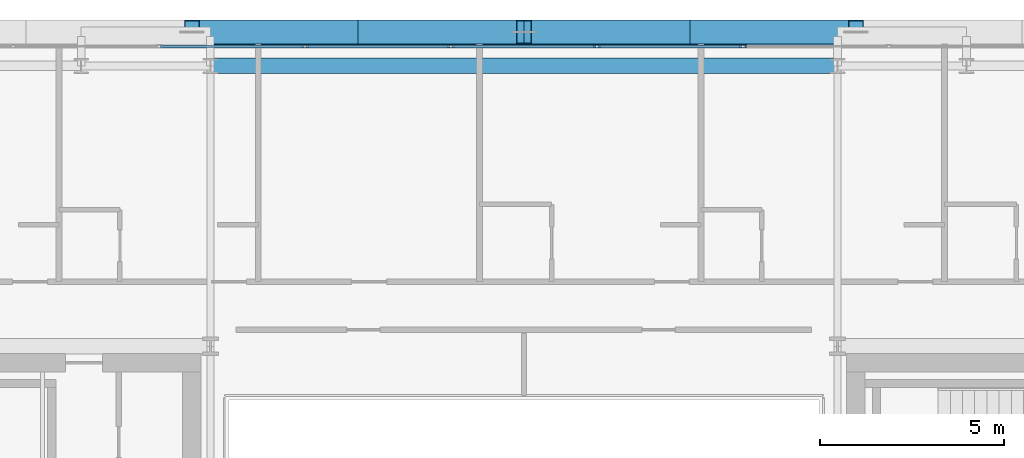
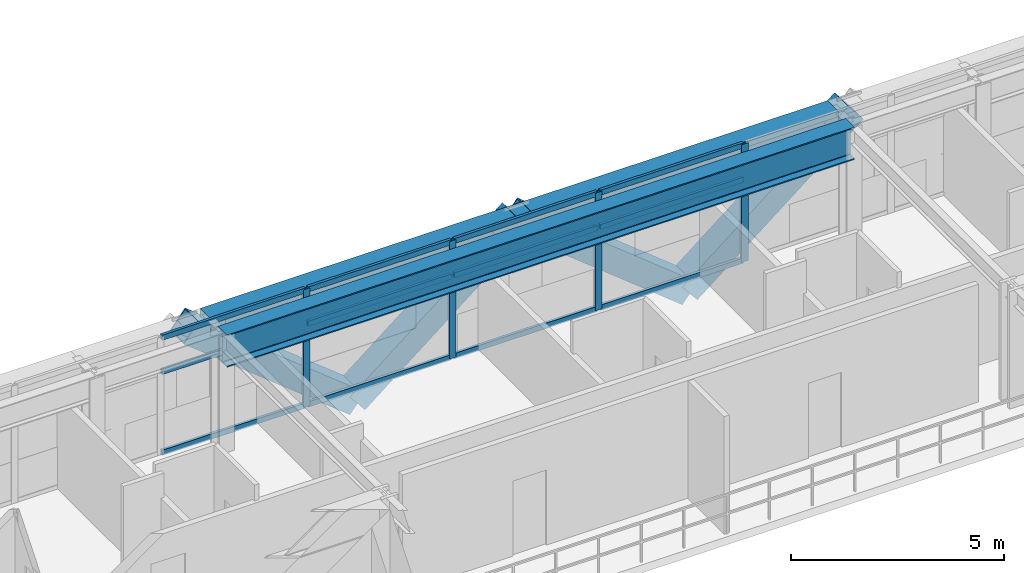
# One storey, part 17 of 32: 20 members, 2 beams, 1 element without a shape of its own.
"""IFC4 building model written with IfcOpenShell, lengths in metres."""

import ifcopenshell
import ifcopenshell.guid

model = None  # the IFC model being written
_history = None  # IfcOwnerHistory: only IFC2X3 demands one
_inside = {}  # id of a spatial element -> (the spatial element, [elements in it])
_under = {}  # id of a project, library or spatial element -> (it, [spatial elements below it])
_declared = {}  # id of a project -> (the project, [libraries it declares])
_typed = {}  # id of a type object -> (the type object, [elements of that type])
_made_of = {}  # id of a material, layer set ... -> (it, [elements and type objects made of it])


def new_model(schema):
    """Start an empty IFC model of exactly this schema.

    Asked for "IFC4X3", IfcOpenShell would pick the latest addendum, in which some entities
    have other attributes; the version numbers below select the first issue.
    IFC2X3 requires an IfcOwnerHistory on every rooted entity: one is made here for all.
    """
    global model, _history
    if schema == "IFC4X3":
        model = ifcopenshell.file(schema_version=(4, 3, 0, 0))
    else:
        model = ifcopenshell.file(schema=schema)
    _inside.clear()
    _under.clear()
    _declared.clear()
    _typed.clear()
    _made_of.clear()
    _history = None
    if model.schema == "IFC2X3":
        org = make("IfcOrganization", Name="unknown")
        user = make(
            "IfcPersonAndOrganization",
            ThePerson=make("IfcPerson", FamilyName="unknown"),
            TheOrganization=org,
        )
        app = make(
            "IfcApplication",
            ApplicationDeveloper=org,
            Version="unknown",
            ApplicationFullName="unknown",
            ApplicationIdentifier="unknown",
        )
        _history = make(
            "IfcOwnerHistory",
            OwningUser=user,
            OwningApplication=app,
            ChangeAction="ADDED",
            CreationDate=0,
        )
    return model


def make(cls, **values):
    """One entity of the class cls with the attributes given. An attribute that is None is left unset."""
    return model.create_entity(
        cls, **{name: value for name, value in values.items() if value is not None}
    )


def rooted(cls, **values):
    """An entity with a GlobalId (a new one), such as an element, a storey or a relation."""
    return make(cls, GlobalId=ifcopenshell.guid.new(), OwnerHistory=_history, **values)


def si_unit(unit_type, name, prefix=None):
    """IfcSIUnit, for example si_unit("LENGTHUNIT", "METRE", prefix="MILLI")."""
    return make("IfcSIUnit", UnitType=unit_type, Prefix=prefix, Name=name)


def assignment(units):
    """IfcUnitAssignment: the units of a project."""
    return None if units is None else make("IfcUnitAssignment", Units=units)


def point(xyz):
    """IfcCartesianPoint."""
    return None if xyz is None else make("IfcCartesianPoint", Coordinates=xyz)


def direction(xyz):
    """IfcDirection."""
    return None if xyz is None else make("IfcDirection", DirectionRatios=xyz)


def frame(location, z_axis=None, x_axis=None):
    """IfcAxis2Placement3D, a coordinate frame: its origin and axes. An axis left out is left unset."""
    return make(
        "IfcAxis2Placement3D",
        Location=point(location),
        Axis=direction(z_axis),
        RefDirection=direction(x_axis),
    )


def frame_2d(location, x_axis=None):
    """IfcAxis2Placement2D, a coordinate frame in the plane: its origin and x axis."""
    return make(
        "IfcAxis2Placement2D", Location=point(location), RefDirection=direction(x_axis)
    )


def origin():
    """The frame at (0, 0, 0) with its axes left unset."""
    return frame((0.0, 0.0, 0.0))


def origin_2d():
    """The frame at (0, 0) in the plane with its x axis left unset."""
    return frame_2d((0.0, 0.0))


def place(relative_to, where):
    """IfcLocalPlacement: puts the frame where relative to a parent placement (None: the world)."""
    return make(
        "IfcLocalPlacement", PlacementRelTo=relative_to, RelativePlacement=where
    )


def context(
    kind, dimensions, precision=None, world=None, true_north=None, identifier=None
):
    """IfcGeometricRepresentationContext, for example the 3D "Model" context."""
    return make(
        "IfcGeometricRepresentationContext",
        ContextIdentifier=identifier,
        ContextType=kind,
        CoordinateSpaceDimension=dimensions,
        Precision=precision,
        WorldCoordinateSystem=world,
        TrueNorth=true_north,
    )


def subcontext(parent, identifier, kind, view, scale=None):
    """IfcGeometricRepresentationSubContext, for example "Body" below "Model"."""
    return make(
        "IfcGeometricRepresentationSubContext",
        ContextIdentifier=identifier,
        ContextType=kind,
        ParentContext=parent,
        TargetScale=scale,
        TargetView=view,
    )


def project(units=None, contexts=None):
    """IfcProject with its units and contexts."""
    return rooted(
        "IfcProject",
        Name="project",
        RepresentationContexts=contexts,
        UnitsInContext=assignment(units),
    )


def spatial(cls, under=None, at=None, **own):
    """A site, building, storey or space (cls), placed at a placement, below another one or the project."""
    s = rooted(cls, ObjectPlacement=at, **own)
    if under is not None:
        _under.setdefault(under.id(), (under, []))[1].append(s)
    return s


def profile(cls, at=None, kind="AREA", **sizes):
    """A parametric profile (cls). Its sizes go by their IFC names, for example OverallWidth=200.0."""
    return make(cls, ProfileType=kind, Position=at, **sizes)


def hollow_rectangle(**sizes):
    """IfcRectangleHollowProfileDef."""
    return profile("IfcRectangleHollowProfileDef", **sizes)


def i_section(**sizes):
    """IfcIShapeProfileDef."""
    return profile("IfcIShapeProfileDef", **sizes)


def extrude(swept, where, along, depth):
    """IfcExtrudedAreaSolid: the profile swept, set in the frame where, extruded along a direction by depth."""
    return make(
        "IfcExtrudedAreaSolid",
        SweptArea=swept,
        Position=where,
        ExtrudedDirection=direction(along),
        Depth=depth,
    )


def shape(context_of_items, identifier, shape_type, items):
    """IfcShapeRepresentation: the items that make up one representation, for example the "Body"."""
    return make(
        "IfcShapeRepresentation",
        ContextOfItems=context_of_items,
        RepresentationIdentifier=identifier,
        RepresentationType=shape_type,
        Items=items,
    )


def source(mapping_origin, context_of_items, identifier, shape_type, items):
    """IfcRepresentationMap: a shape defined once, which mapped items show again and again."""
    return make(
        "IfcRepresentationMap",
        MappingOrigin=mapping_origin,
        MappedRepresentation=shape(context_of_items, identifier, shape_type, items),
    )


def transform(
    local_origin,
    x_axis=None,
    y_axis=None,
    z_axis=None,
    scale=None,
    scale2=None,
    scale3=None,
    uniform=True,
):
    """IfcCartesianTransformationOperator3D, or its non-uniform kind. x_axis, y_axis, z_axis: its Axis1, 2, 3."""
    if uniform:
        return make(
            "IfcCartesianTransformationOperator3D",
            Axis1=direction(x_axis),
            Axis2=direction(y_axis),
            LocalOrigin=point(local_origin),
            Scale=scale,
            Axis3=direction(z_axis),
        )
    return make(
        "IfcCartesianTransformationOperator3DnonUniform",
        Axis1=direction(x_axis),
        Axis2=direction(y_axis),
        LocalOrigin=point(local_origin),
        Scale=scale,
        Axis3=direction(z_axis),
        Scale2=scale2,
        Scale3=scale3,
    )


def mapped(mapping_source, mapping_target):
    """IfcMappedItem: shows the shape of a source again, moved by a transform."""
    return make(
        "IfcMappedItem", MappingSource=mapping_source, MappingTarget=mapping_target
    )


def material(Name=None, Category=None):
    """IfcMaterial."""
    return make("IfcMaterial", Name=Name, Category=Category)


def layer(
    of_material, thickness, ventilated=None, Name=None, Category=None, Priority=None
):
    """IfcMaterialLayer: one layer of a wall or slab, of a material (None: an air gap)."""
    return make(
        "IfcMaterialLayer",
        Material=of_material,
        LayerThickness=thickness,
        IsVentilated=ventilated,
        Name=Name,
        Category=Category,
        Priority=Priority,
    )


def layer_set(layers, Name=None):
    """IfcMaterialLayerSet."""
    return make("IfcMaterialLayerSet", MaterialLayers=layers, LayerSetName=Name)


def material_profile(
    of_material, cross_section, Name=None, Category=None, Priority=None
):
    """IfcMaterialProfile: a cross section and its material."""
    return make(
        "IfcMaterialProfile",
        Name=Name,
        Material=of_material,
        Profile=cross_section,
        Priority=Priority,
        Category=Category,
    )


def profile_set(profiles, Name=None, composite=None):
    """IfcMaterialProfileSet."""
    return make(
        "IfcMaterialProfileSet",
        Name=Name,
        MaterialProfiles=profiles,
        CompositeProfile=composite,
    )


def made_of(thing, what):
    """Note that an element or type object is made of a material, layer set ...; save() writes the relation."""
    if what is not None:
        _made_of.setdefault(what.id(), (what, []))[1].append(thing)
    return thing


def type_object(cls, material=None, **own):
    """A type object (cls), such as IfcWallType, which elements share."""
    return made_of(rooted(cls, **own), material)


def element(
    cls,
    number,
    at=None,
    inside=None,
    cuts=None,
    type_object=None,
    material=None,
    context=None,
    identifier="Body",
    shape_type=None,
    held_by="IfcProductDefinitionShape",
    body=None,
    shapes=None,
    **own,
):
    """One element of the class cls, such as IfcWall. Its Tag is "e" and its number.

    at: its placement. inside: the storey or other place that contains it. cuts: it is an
    opening in that element (IfcRelVoidsElement). A single representation is given by context,
    identifier, shape_type and body (its items); several are given by shapes. held_by: the class
    of the entity that holds the representations. save() writes the other relations.
    """
    e = rooted(cls, Tag="e%d" % number, ObjectPlacement=at, **own)
    if body is not None:
        shapes = [shape(context, identifier, shape_type, body)]
    if shapes is not None:
        e.Representation = make(held_by, Representations=shapes)
    if inside is not None:
        _inside.setdefault(inside.id(), (inside, []))[1].append(e)
    if cuts is not None:
        rooted(
            "IfcRelVoidsElement", RelatingBuildingElement=cuts, RelatedOpeningElement=e
        )
    if type_object is not None:
        _typed.setdefault(type_object.id(), (type_object, []))[1].append(e)
    return made_of(e, material)


def aggregate(whole, parts):
    """IfcRelAggregates: a whole, such as a stair, and the parts it consists of."""
    return rooted("IfcRelAggregates", RelatingObject=whole, RelatedObjects=parts)


def save(model, path):
    """Write the relations noted so far, then the file.

    IfcRelAggregates (storeys below a building ...), IfcRelContainedInSpatialStructure (elements
    in a storey), IfcRelDefinesByType, IfcRelAssociatesMaterial and IfcRelDeclares: one each for
    every whole, place, type object, material and project.
    """
    for whole, parts in _under.values():
        aggregate(whole, parts)
    for where, things in _inside.values():
        rooted(
            "IfcRelContainedInSpatialStructure",
            RelatedElements=things,
            RelatingStructure=where,
        )
    for kind, things in _typed.values():
        rooted("IfcRelDefinesByType", RelatedObjects=things, RelatingType=kind)
    for what, things in _made_of.values():
        rooted("IfcRelAssociatesMaterial", RelatedObjects=things, RelatingMaterial=what)
    for by, libraries in _declared.values():
        rooted("IfcRelDeclares", RelatingContext=by, RelatedDefinitions=libraries)
    model.write(path)


model = new_model("IFC4")

# Units and contexts
model_context = context("Model", 3, precision=1e-05, world=origin(), true_north=direction((0.0, 1.0)))
body_context = subcontext(model_context, "Body", "Model", "MODEL_VIEW")
ifc_project = project(units=[si_unit("LENGTHUNIT", "METRE"), si_unit("AREAUNIT", "SQUARE_METRE"), si_unit("VOLUMEUNIT", "CUBIC_METRE"), si_unit("PLANEANGLEUNIT", "RADIAN"), si_unit("MASSUNIT", "GRAM", prefix="KILO")], contexts=[model_context])

# Site, building, storey
site_placement = place(None, origin())
site = spatial("IfcSite", under=ifc_project, at=site_placement, CompositionType="ELEMENT")
building_placement = place(site_placement, origin())
building = spatial("IfcBuilding", under=site, at=building_placement, Name="Ocotamira Hotel", CompositionType="ELEMENT")
storey_placement = place(building_placement, frame((0.0, 0.0, 206.39990234375)))
storey = spatial("IfcBuildingStorey", under=building, at=storey_placement, Name="L52", CompositionType="ELEMENT", Elevation=206.39990234375)

# Beams
ifc_material_1 = material(Name="Steel ASTM A992 Grade 50", Category="steel")
ifc_material_profile_1 = material_profile(ifc_material_1, i_section(OverallWidth=0.41796875, OverallDepth=0.927001953125, WebThickness=0.019287109375, FlangeThickness=0.031982421875, FilletRadius=0.02392578125, at=origin_2d()), Name="W36X231")
ifc_profile_set_1 = profile_set([ifc_material_profile_1], Name="Steel ASTM A992 Grade 50")
beam_type_1 = type_object("IfcBeamType", Name="BM-GIRD-W36X231", PredefinedType="BEAM", material=ifc_profile_set_1)
shared_shape_1 = source(origin(), body_context, "Body", "SweptSolid", [
    extrude(i_section(OverallWidth=0.41796875, OverallDepth=0.927001953125, WebThickness=0.019287109375, FlangeThickness=0.031982421875, FilletRadius=0.02392578125, at=origin_2d()), origin(), (0.0, 0.0, 1.0), 17.0),
])
beam_1_placement = place(storey_placement, frame((23.5, 45.050048828125, 2.906494140625), z_axis=(1.0, 0.0, 0.0), x_axis=(0.0, 1.0, 0.0)))
element("IfcBeam", 1, at=beam_1_placement, inside=storey, type_object=beam_type_1, Name="L52 Girder Y45.05 X23.5-40.5", PredefinedType="BEAM", context=body_context, shape_type="MappedRepresentation", body=[
    mapped(shared_shape_1, transform((0.0, 0.0, 0.0), scale=1.0)),
])
ifc_material_2 = material(Name="Steel ASTM A500 Grade C", Category="steel")
ifc_material_profile_2 = material_profile(ifc_material_2, hollow_rectangle(XDim=0.5, YDim=0.5, WallThickness=0.02001953125, at=origin_2d()), Name="HSS500X500X20")
ifc_profile_set_2 = profile_set([ifc_material_profile_2], Name="Steel ASTM A500 Grade C")
beam_type_2 = type_object("IfcBeamType", Name="BM-SPAN-HSS500", PredefinedType="USERDEFINED", material=ifc_profile_set_2)
shared_shape_2 = source(origin(), body_context, "Body", "SweptSolid", [
    extrude(hollow_rectangle(XDim=0.5, YDim=0.5, WallThickness=0.02001953125, at=origin_2d()), origin(), (0.0, 0.0, 1.0), 17.0),
])
beam_2_placement = place(storey_placement, frame((23.5, 45.85009765625, 3.1201171875), z_axis=(1.0, 0.0, 0.0), x_axis=(0.0, 1.0, 0.0)))
element("IfcBeam", 2, at=beam_2_placement, inside=storey, type_object=beam_type_2, Name="L52 Edge Spandrel N X23.5-40.5", ObjectType="SPANDREL", PredefinedType="USERDEFINED", context=body_context, shape_type="MappedRepresentation", body=[
    mapped(shared_shape_2, transform((0.0, 0.0, 0.0), scale=1.0)),
])

# Members
ifc_material_3 = material(Name="Pale-metal coated steel ASTM A913 Grade 65", Category="steel")
ifc_material_profile_3 = material_profile(ifc_material_3, hollow_rectangle(XDim=0.64990234375, YDim=0.64990234375, WallThickness=0.02197265625, at=origin_2d()), Name="BOX650X650X22")
ifc_profile_set_3 = profile_set([ifc_material_profile_3], Name="Pale-metal coated steel ASTM A913 Grade 65")
member_type_1 = type_object("IfcMemberType", Name="MEM-EXO-BOX650", PredefinedType="BRACE", material=ifc_profile_set_3)
shared_shape_3 = source(origin(), body_context, "Body", "SweptSolid", [
    extrude(hollow_rectangle(XDim=0.64990234375, YDim=0.64990234375, WallThickness=0.02197265625, at=origin_2d()), origin(), (0.0, 0.0, 1.0), 5.762939453125),
])
for number, where, z_axis, x_axis, name in (
    (3, (27.5, 45.969970703125, -0.47998046875), (-0.780860543151, 0.0, 0.624705380279), (0.0, -1.0, 0.0), "L52 Exoskeleton Diagrid N1.1"),
    (4, (27.5, 45.969970703125, -0.47998046875), (0.780860543151, 0.0, 0.624705380279), (0.0, 1.0, 0.0), "L52 Exoskeleton Diagrid N1.2"),
    (5, (36.5, 45.969970703125, -0.47998046875), (-0.780860543151, 0.0, 0.624705380279), (0.0, -1.0, 0.0), "L52 Exoskeleton Diagrid N2.1"),
    (6, (36.5, 45.969970703125, -0.47998046875), (0.780860543151, 0.0, 0.624705380279), (0.0, 1.0, 0.0), "L52 Exoskeleton Diagrid N2.2"),
):
    element("IfcMember", number, at=place(storey_placement, frame(where, z_axis=z_axis, x_axis=x_axis)), inside=storey, type_object=member_type_1, Name=name, PredefinedType="BRACE", context=body_context, shape_type="MappedRepresentation", body=[
        mapped(shared_shape_3, transform((0.0, 0.0, 0.0), scale=1.0)),
    ])

# Curtain wall, members
ifc_material_4 = material(Name="Anodised pale-metal aluminium and solar glass", Category="aluminium")
ifc_layer = layer(ifc_material_4, 0.199951171875)
ifc_layer_set = layer_set([ifc_layer], Name="Anodised pale-metal aluminium and solar glass")
curtain_wall_type = type_object("IfcCurtainWallType", Name="CW-SYS4-Z3", PredefinedType="NOTDEFINED", material=ifc_layer_set)
curtain_wall_placement = place(storey_placement, origin())
curtain_wall = element("IfcCurtainWall", 7, at=curtain_wall_placement, inside=storey, type_object=curtain_wall_type, Name="L52 Curtain Wall CW-4 CW-L52-N", PredefinedType="NOTDEFINED")
ifc_material_5 = material(Name="Anodised pale-metal aluminium 6063-T6", Category="aluminium")
ifc_material_profile_4 = material_profile(ifc_material_5, hollow_rectangle(XDim=0.074951171875, YDim=0.14990234375, WallThickness=0.006103515625, at=origin_2d()), Name="HSS150X75X6")
ifc_profile_set_4 = profile_set([ifc_material_profile_4], Name="Anodised pale-metal aluminium 6063-T6")
member_type_2 = type_object("IfcMemberType", Name="CWT-150X75", PredefinedType="USERDEFINED", material=ifc_profile_set_4)
shared_shape_4 = source(origin(), body_context, "Body", "SweptSolid", [
    extrude(hollow_rectangle(XDim=0.074951171875, YDim=0.14990234375, WallThickness=0.006103515625, at=origin_2d()), origin(), (0.0, 0.0, 1.0), 3.87548828125),
])
member_1_placement = place(storey_placement, frame((22.151123046875, 45.580078125, 0.03759765625), z_axis=(1.0, 0.0, 0.0), x_axis=(0.0, 1.0, 0.0)))
member_1 = element("IfcMember", 8, at=member_1_placement, type_object=member_type_2, Name="CW-4 transom 3.1", ObjectType="TRANSOM", PredefinedType="USERDEFINED", context=body_context, shape_type="MappedRepresentation", body=[
    mapped(shared_shape_4, transform((0.0, 0.0, 0.0), scale=1.0)),
])
member_2_placement = place(storey_placement, frame((22.151123046875, 45.580078125, 2.35009765625), z_axis=(1.0, 0.0, 0.0), x_axis=(0.0, 1.0, 0.0)))
member_2 = element("IfcMember", 9, at=member_2_placement, type_object=member_type_2, Name="CW-4 transom 3.2", ObjectType="TRANSOM", PredefinedType="USERDEFINED", context=body_context, shape_type="MappedRepresentation", body=[
    mapped(shared_shape_4, transform((0.0, 0.0, 0.0), scale=1.0)),
])
member_3_placement = place(storey_placement, frame((22.151123046875, 45.580078125, 3.33251953125), z_axis=(1.0, 0.0, 0.0), x_axis=(0.0, 1.0, 0.0)))
member_3 = element("IfcMember", 10, at=member_3_placement, type_object=member_type_2, Name="CW-4 transom 3.3", ObjectType="TRANSOM", PredefinedType="USERDEFINED", context=body_context, shape_type="MappedRepresentation", body=[
    mapped(shared_shape_4, transform((0.0, 0.0, 0.0), scale=1.0)),
])
member_4_placement = place(storey_placement, frame((26.106689453125, 45.580078125, 0.03759765625), z_axis=(1.0, 0.0, 0.0), x_axis=(0.0, 1.0, 0.0)))
member_4 = element("IfcMember", 11, at=member_4_placement, type_object=member_type_2, Name="CW-4 transom 4.1", ObjectType="TRANSOM", PredefinedType="USERDEFINED", context=body_context, shape_type="MappedRepresentation", body=[
    mapped(shared_shape_4, transform((0.0, 0.0, 0.0), scale=1.0)),
])
member_5_placement = place(storey_placement, frame((26.106689453125, 45.580078125, 2.35009765625), z_axis=(1.0, 0.0, 0.0), x_axis=(0.0, 1.0, 0.0)))
member_5 = element("IfcMember", 12, at=member_5_placement, type_object=member_type_2, Name="CW-4 transom 4.2", ObjectType="TRANSOM", PredefinedType="USERDEFINED", context=body_context, shape_type="MappedRepresentation", body=[
    mapped(shared_shape_4, transform((0.0, 0.0, 0.0), scale=1.0)),
])
member_6_placement = place(storey_placement, frame((26.106689453125, 45.580078125, 3.33251953125), z_axis=(1.0, 0.0, 0.0), x_axis=(0.0, 1.0, 0.0)))
member_6 = element("IfcMember", 13, at=member_6_placement, type_object=member_type_2, Name="CW-4 transom 4.3", ObjectType="TRANSOM", PredefinedType="USERDEFINED", context=body_context, shape_type="MappedRepresentation", body=[
    mapped(shared_shape_4, transform((0.0, 0.0, 0.0), scale=1.0)),
])
member_7_placement = place(storey_placement, frame((30.062255859375, 45.580078125, 0.03759765625), z_axis=(1.0, 0.0, 0.0), x_axis=(0.0, 1.0, 0.0)))
member_7 = element("IfcMember", 14, at=member_7_placement, type_object=member_type_2, Name="CW-4 transom 5.1", ObjectType="TRANSOM", PredefinedType="USERDEFINED", context=body_context, shape_type="MappedRepresentation", body=[
    mapped(shared_shape_4, transform((0.0, 0.0, 0.0), scale=1.0)),
])
member_8_placement = place(storey_placement, frame((30.062255859375, 45.580078125, 2.35009765625), z_axis=(1.0, 0.0, 0.0), x_axis=(0.0, 1.0, 0.0)))
member_8 = element("IfcMember", 15, at=member_8_placement, type_object=member_type_2, Name="CW-4 transom 5.2", ObjectType="TRANSOM", PredefinedType="USERDEFINED", context=body_context, shape_type="MappedRepresentation", body=[
    mapped(shared_shape_4, transform((0.0, 0.0, 0.0), scale=1.0)),
])
member_9_placement = place(storey_placement, frame((30.062255859375, 45.580078125, 3.33251953125), z_axis=(1.0, 0.0, 0.0), x_axis=(0.0, 1.0, 0.0)))
member_9 = element("IfcMember", 16, at=member_9_placement, type_object=member_type_2, Name="CW-4 transom 5.3", ObjectType="TRANSOM", PredefinedType="USERDEFINED", context=body_context, shape_type="MappedRepresentation", body=[
    mapped(shared_shape_4, transform((0.0, 0.0, 0.0), scale=1.0)),
])
member_10_placement = place(storey_placement, frame((34.017822265625, 45.580078125, 0.03759765625), z_axis=(1.0, 0.0, 0.0), x_axis=(0.0, 1.0, 0.0)))
member_10 = element("IfcMember", 17, at=member_10_placement, type_object=member_type_2, Name="CW-4 transom 6.1", ObjectType="TRANSOM", PredefinedType="USERDEFINED", context=body_context, shape_type="MappedRepresentation", body=[
    mapped(shared_shape_4, transform((0.0, 0.0, 0.0), scale=1.0)),
])
member_11_placement = place(storey_placement, frame((34.017822265625, 45.580078125, 2.35009765625), z_axis=(1.0, 0.0, 0.0), x_axis=(0.0, 1.0, 0.0)))
member_11 = element("IfcMember", 18, at=member_11_placement, type_object=member_type_2, Name="CW-4 transom 6.2", ObjectType="TRANSOM", PredefinedType="USERDEFINED", context=body_context, shape_type="MappedRepresentation", body=[
    mapped(shared_shape_4, transform((0.0, 0.0, 0.0), scale=1.0)),
])
member_12_placement = place(storey_placement, frame((34.017822265625, 45.580078125, 3.33251953125), z_axis=(1.0, 0.0, 0.0), x_axis=(0.0, 1.0, 0.0)))
member_12 = element("IfcMember", 19, at=member_12_placement, type_object=member_type_2, Name="CW-4 transom 6.3", ObjectType="TRANSOM", PredefinedType="USERDEFINED", context=body_context, shape_type="MappedRepresentation", body=[
    mapped(shared_shape_4, transform((0.0, 0.0, 0.0), scale=1.0)),
])
ifc_material_profile_5 = material_profile(ifc_material_5, hollow_rectangle(XDim=0.080078125, YDim=0.179931640625, WallThickness=0.006103515625, at=origin_2d()), Name="HSS180X80X6")
ifc_profile_set_5 = profile_set([ifc_material_profile_5], Name="Anodised pale-metal aluminium 6063-T6")
member_type_3 = type_object("IfcMemberType", Name="CWM-180X75", PredefinedType="MULLION", material=ifc_profile_set_5)
shared_shape_5 = source(origin(), body_context, "Body", "SweptSolid", [
    extrude(hollow_rectangle(XDim=0.080078125, YDim=0.179931640625, WallThickness=0.006103515625, at=origin_2d()), origin(), (0.0, 0.0, 1.0), 3.3701171875),
])
member_13_placement = place(storey_placement, frame((26.066650390625, 45.580078125, 0.0), z_axis=(0.0, 0.0, 1.0), x_axis=(0.0, 1.0, 0.0)))
member_13 = element("IfcMember", 20, at=member_13_placement, type_object=member_type_3, Name="CW-4 mullion 4", PredefinedType="MULLION", context=body_context, shape_type="MappedRepresentation", body=[
    mapped(shared_shape_5, transform((0.0, 0.0, 0.0), scale=1.0)),
])
member_14_placement = place(storey_placement, frame((30.022216796875, 45.580078125, 0.0), z_axis=(0.0, 0.0, 1.0), x_axis=(0.0, 1.0, 0.0)))
member_14 = element("IfcMember", 21, at=member_14_placement, type_object=member_type_3, Name="CW-4 mullion 5", PredefinedType="MULLION", context=body_context, shape_type="MappedRepresentation", body=[
    mapped(shared_shape_5, transform((0.0, 0.0, 0.0), scale=1.0)),
])
member_15_placement = place(storey_placement, frame((33.977783203125, 45.580078125, 0.0), z_axis=(0.0, 0.0, 1.0), x_axis=(0.0, 1.0, 0.0)))
member_15 = element("IfcMember", 22, at=member_15_placement, type_object=member_type_3, Name="CW-4 mullion 6", PredefinedType="MULLION", context=body_context, shape_type="MappedRepresentation", body=[
    mapped(shared_shape_5, transform((0.0, 0.0, 0.0), scale=1.0)),
])
member_16_placement = place(storey_placement, frame((37.933349609375, 45.580078125, 0.0), z_axis=(0.0, 0.0, 1.0), x_axis=(0.0, 1.0, 0.0)))
member_16 = element("IfcMember", 23, at=member_16_placement, type_object=member_type_3, Name="CW-4 mullion 7", PredefinedType="MULLION", context=body_context, shape_type="MappedRepresentation", body=[
    mapped(shared_shape_5, transform((0.0, 0.0, 0.0), scale=1.0)),
])
aggregate(curtain_wall, [member_13, member_14, member_15, member_16, member_1, member_2, member_3, member_4, member_5, member_6, member_7, member_8, member_9, member_10, member_11, member_12])

save(model, "model.ifc")
